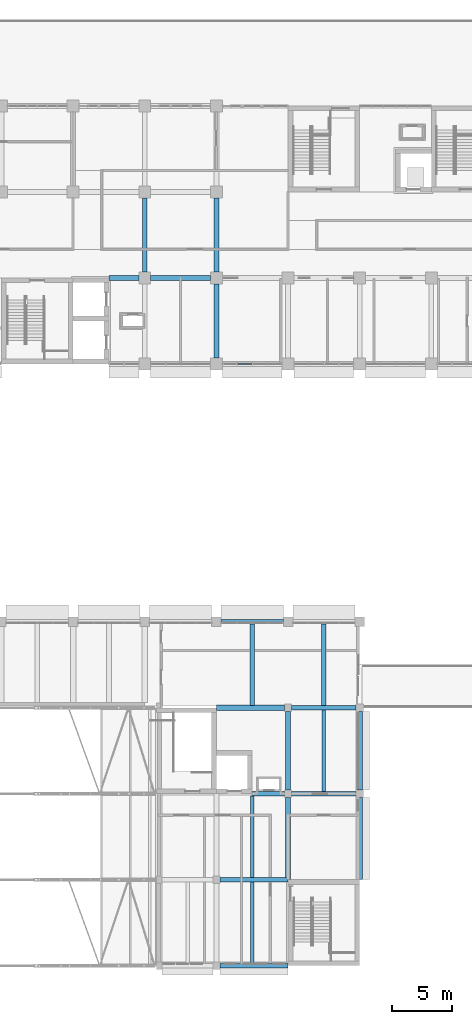
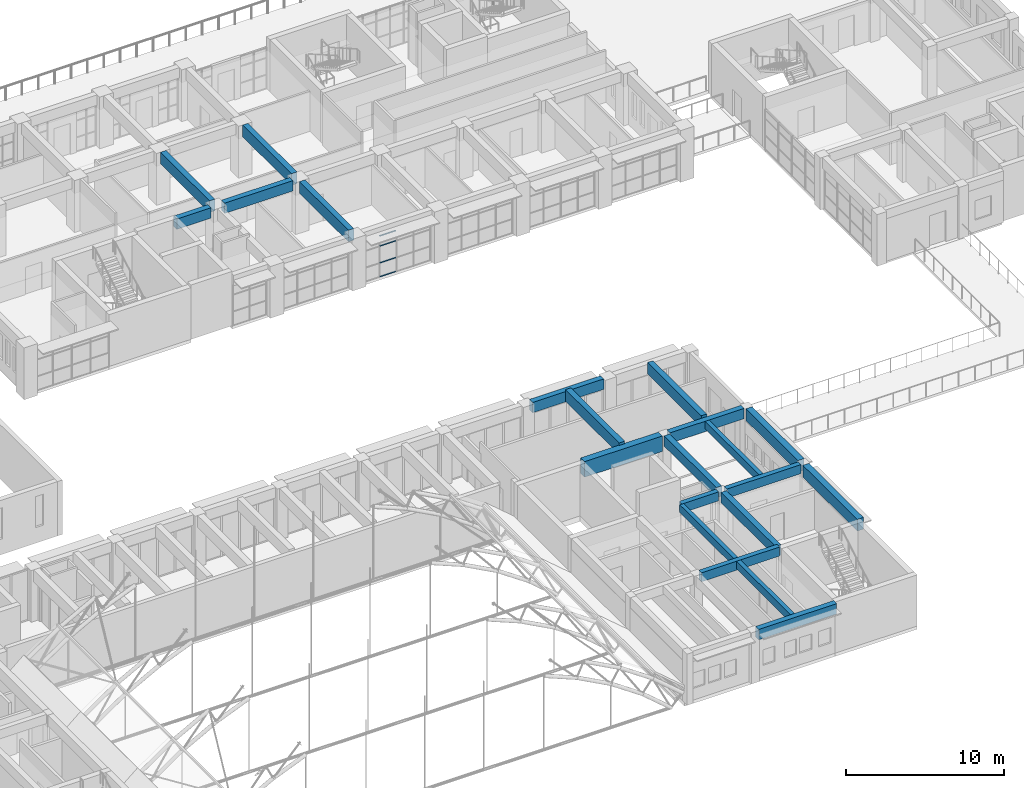
# One storey, part 40 of 101: 21 beams, 4 members, 1 element without a shape of its own.
"""IFC4 building model written with IfcOpenShell, lengths in metres."""

from ifc_helpers import new_model, si_unit, direction, frame, origin, origin_2d, place, context, subcontext, project, spatial, rectangle, hollow_rectangle, extrude, material, material_profile, profile_set, type_object, element, aggregate, save


model = new_model("IFC4")

# Units and contexts
model_context = context("Model", 3, precision=1e-05, world=origin(), true_north=direction((0.0, 1.0)))
body_context = subcontext(model_context, "Body", "Model", "MODEL_VIEW")
ifc_project = project(units=[si_unit("LENGTHUNIT", "METRE"), si_unit("AREAUNIT", "SQUARE_METRE"), si_unit("VOLUMEUNIT", "CUBIC_METRE"), si_unit("PLANEANGLEUNIT", "RADIAN"), si_unit("MASSUNIT", "GRAM", prefix="KILO")], contexts=[model_context])

# Site, building, storey
site_placement = place(None, origin())
site = spatial("IfcSite", under=ifc_project, at=site_placement, CompositionType="ELEMENT")
building_placement = place(site_placement, origin())
building = spatial("IfcBuilding", under=site, at=building_placement, Name="Laocheng Heights Fire and Rescue Headquarters", CompositionType="ELEMENT")
storey_placement = place(building_placement, frame((0.0, 0.0, 8.39990234375)))
storey = spatial("IfcBuildingStorey", under=building, at=storey_placement, Name="L02", CompositionType="ELEMENT", Elevation=8.39990234375)

# Curtain wall, members
ifc_material_1 = material(Name="Dark anodised aluminium unitised curtain wall, low-e double glazing", Category="aluminium")
curtain_wall_type = type_object("IfcCurtainWallType", Name="CW 5000 x 3200 HQ SOUTH RIBBON", PredefinedType="NOTDEFINED", material=ifc_material_1)
curtain_wall_placement = place(storey_placement, origin())
curtain_wall = element("IfcCurtainWall", 1, at=curtain_wall_placement, inside=storey, type_object=curtain_wall_type, Name="X10-X HQ SOUTH L02", PredefinedType="NOTDEFINED")
ifc_material_2 = material(Name="Dark anodised aluminium 6063-T5 extrusion", Category="aluminium")
ifc_material_profile_1 = material_profile(ifc_material_2, hollow_rectangle(XDim=0.10009765625, YDim=0.050048828125, WallThickness=0.0029296875, at=origin_2d()), Name="AL TRANSOM 100x50x3 HQ SOUTH RIBBON")
ifc_profile_set_1 = profile_set([ifc_material_profile_1], Name="Dark anodised aluminium 6063-T5 extrusion")
member_type = type_object("IfcMemberType", Name="AL TRANSOM 100x50x3 HQ SOUTH RIBBON", PredefinedType="USERDEFINED", material=ifc_profile_set_1)
member_1_placement = place(storey_placement, frame((61.780029296875, 50.39990234375, 0.025146484375), z_axis=(1.0, 0.0, 0.0), x_axis=(0.0, 1.0, 0.0)))
member_1 = element("IfcMember", 2, at=member_1_placement, type_object=member_type, Name="X10-X transom 2.1", ObjectType="TRANSOM", PredefinedType="USERDEFINED", context=body_context, shape_type="SweptSolid", body=[
    extrude(hollow_rectangle(XDim=0.10009765625, YDim=0.050048828125, WallThickness=0.0029296875, at=origin_2d()), origin(), (0.0, 0.0, 1.0), 1.18994140625),
])
member_2_placement = place(storey_placement, frame((61.780029296875, 50.39990234375, 1.10009765625), z_axis=(1.0, 0.0, 0.0), x_axis=(0.0, 1.0, 0.0)))
member_2 = element("IfcMember", 3, at=member_2_placement, type_object=member_type, Name="X10-X transom 2.2", ObjectType="TRANSOM", PredefinedType="USERDEFINED", context=body_context, shape_type="SweptSolid", body=[
    extrude(hollow_rectangle(XDim=0.10009765625, YDim=0.050048828125, WallThickness=0.0029296875, at=origin_2d()), origin(), (0.0, 0.0, 1.0), 1.18994140625),
])
member_3_placement = place(storey_placement, frame((61.780029296875, 50.39990234375, 2.400146484375), z_axis=(1.0, 0.0, 0.0), x_axis=(0.0, 1.0, 0.0)))
member_3 = element("IfcMember", 4, at=member_3_placement, type_object=member_type, Name="X10-X transom 2.3", ObjectType="TRANSOM", PredefinedType="USERDEFINED", context=body_context, shape_type="SweptSolid", body=[
    extrude(hollow_rectangle(XDim=0.10009765625, YDim=0.050048828125, WallThickness=0.0029296875, at=origin_2d()), origin(), (0.0, 0.0, 1.0), 1.18994140625),
])
member_4_placement = place(storey_placement, frame((61.780029296875, 50.39990234375, 3.175048828125), z_axis=(1.0, 0.0, 0.0), x_axis=(0.0, 1.0, 0.0)))
member_4 = element("IfcMember", 5, at=member_4_placement, type_object=member_type, Name="X10-X transom 2.4", ObjectType="TRANSOM", PredefinedType="USERDEFINED", context=body_context, shape_type="SweptSolid", body=[
    extrude(hollow_rectangle(XDim=0.10009765625, YDim=0.050048828125, WallThickness=0.0029296875, at=origin_2d()), origin(), (0.0, 0.0, 1.0), 1.18994140625),
])
aggregate(curtain_wall, [member_1, member_2, member_3, member_4])

# Beams
ifc_material_3 = material(Name="Concrete C40", Category="concrete")
ifc_material_profile_2 = material_profile(ifc_material_3, rectangle(XDim=0.300048828125, YDim=0.60009765625, at=origin_2d()), Name="RC BEAM 300x600 PAVILION SECONDARY")
ifc_profile_set_2 = profile_set([ifc_material_profile_2], Name="Concrete C40")
beam_type_1 = type_object("IfcBeamType", Name="RC BEAM 300x600 PAVILION SECONDARY", PredefinedType="BEAM", material=ifc_profile_set_2)
beam_1_placement = place(storey_placement, frame((63.0, 0.199951171875, 3.650146484375), z_axis=(0.0, 1.0, 0.0), x_axis=(-1.0, 0.0, 0.0)))
element("IfcBeam", 6, at=beam_1_placement, inside=storey, type_object=beam_type_1, Name="Pavilion secondary beam", PredefinedType="BEAM", context=body_context, shape_type="SweptSolid", body=[
    extrude(rectangle(XDim=0.300048828125, YDim=0.60009765625, at=origin_2d()), origin(), (0.0, 0.0, 1.0), 6.824951171875),
])
beam_2_placement = place(storey_placement, frame((63.0, 7.375, 3.650146484375), z_axis=(0.0, 1.0, 0.0), x_axis=(-1.0, 0.0, 0.0)))
element("IfcBeam", 7, at=beam_2_placement, inside=storey, type_object=beam_type_1, Name="Pavilion secondary beam", PredefinedType="BEAM", context=body_context, shape_type="SweptSolid", body=[
    extrude(rectangle(XDim=0.300048828125, YDim=0.60009765625, at=origin_2d()), origin(), (0.0, 0.0, 1.0), 6.85009765625),
])
beam_3_placement = place(storey_placement, frame((69.0, 14.574951171875, 3.650146484375), z_axis=(0.0, 1.0, 0.0), x_axis=(-1.0, 0.0, 0.0)))
element("IfcBeam", 8, at=beam_3_placement, inside=storey, type_object=beam_type_1, Name="Pavilion secondary beam", PredefinedType="BEAM", context=body_context, shape_type="SweptSolid", body=[
    extrude(rectangle(XDim=0.300048828125, YDim=0.60009765625, at=origin_2d()), origin(), (0.0, 0.0, 1.0), 6.824951171875),
])
ifc_material_4 = material(Name="Concrete C40", Category="concrete")
ifc_material_profile_3 = material_profile(ifc_material_4, rectangle(XDim=0.35009765625, YDim=0.699951171875, at=origin_2d()), Name="RC BEAM 350x700 PAVILION ROOF")
ifc_profile_set_3 = profile_set([ifc_material_profile_3], Name="Concrete C40")
beam_type_2 = type_object("IfcBeamType", Name="RC BEAM 350x700 PAVILION ROOF", PredefinedType="BEAM", material=ifc_profile_set_3)
beam_4_placement = place(storey_placement, frame((60.300048828125, 7.199951171875, 3.60009765625), z_axis=(1.0, 0.0, 0.0), x_axis=(0.0, 1.0, 0.0)))
element("IfcBeam", 9, at=beam_4_placement, inside=storey, type_object=beam_type_2, Name="Pavilion beam", PredefinedType="BEAM", context=body_context, shape_type="SweptSolid", body=[
    extrude(rectangle(XDim=0.35009765625, YDim=0.699951171875, at=origin_2d()), origin(), (0.0, 0.0, 1.0), 5.699951171875),
])
beam_5_placement = place(storey_placement, frame((63.0, 14.39990234375, 3.60009765625), z_axis=(1.0, 0.0, 0.0), x_axis=(0.0, 1.0, 0.0)))
element("IfcBeam", 10, at=beam_5_placement, inside=storey, type_object=beam_type_2, Name="Pavilion beam", PredefinedType="BEAM", context=body_context, shape_type="SweptSolid", body=[
    extrude(rectangle(XDim=0.35009765625, YDim=0.699951171875, at=origin_2d()), origin(), (0.0, 0.0, 1.0), 2.699951171875),
])
beam_6_placement = place(storey_placement, frame((66.300048828125, 14.39990234375, 3.60009765625), z_axis=(1.0, 0.0, 0.0), x_axis=(0.0, 1.0, 0.0)))
element("IfcBeam", 11, at=beam_6_placement, inside=storey, type_object=beam_type_2, Name="Pavilion beam", PredefinedType="BEAM", context=body_context, shape_type="SweptSolid", body=[
    extrude(rectangle(XDim=0.35009765625, YDim=0.699951171875, at=origin_2d()), origin(), (0.0, 0.0, 1.0), 5.39990234375),
])
ifc_material_5 = material(Name="Concrete C40", Category="concrete")
ifc_material_profile_4 = material_profile(ifc_material_5, rectangle(XDim=0.39990234375, YDim=0.800048828125, at=origin_2d()), Name="RC BEAM 400x800 GALLERY FLOOR")
ifc_profile_set_4 = profile_set([ifc_material_profile_4], Name="Concrete C40")
beam_type_3 = type_object("IfcBeamType", Name="RC BEAM 400x800 GALLERY FLOOR", PredefinedType="BEAM", material=ifc_profile_set_4)
beam_7_placement = place(storey_placement, frame((60.39990234375, 28.800048828125, 3.60009765625), z_axis=(1.0, 0.0, 0.0), x_axis=(0.0, 1.0, 0.0)))
element("IfcBeam", 12, at=beam_7_placement, inside=storey, type_object=beam_type_3, Name="Gallery floor beam", PredefinedType="BEAM", context=body_context, shape_type="SweptSolid", body=[
    extrude(rectangle(XDim=0.39990234375, YDim=0.800048828125, at=origin_2d()), origin(), (0.0, 0.0, 1.0), 5.2001953125),
])
ifc_material_6 = material(Name="Concrete C40", Category="concrete")
ifc_material_profile_5 = material_profile(ifc_material_6, rectangle(XDim=0.39990234375, YDim=0.800048828125, at=origin_2d()), Name="RC BEAM 400x800 HQ")
ifc_profile_set_5 = profile_set([ifc_material_profile_5], Name="Concrete C40")
beam_type_4 = type_object("IfcBeamType", Name="RC BEAM 400x800 HQ", PredefinedType="BEAM", material=ifc_profile_set_5)
beam_8_placement = place(storey_placement, frame((51.0, 57.60009765625, 3.60009765625), z_axis=(1.0, 0.0, 0.0), x_axis=(0.0, 1.0, 0.0)))
element("IfcBeam", 13, at=beam_8_placement, inside=storey, type_object=beam_type_4, Name="HQ beam L02", PredefinedType="BEAM", context=body_context, shape_type="SweptSolid", body=[
    extrude(rectangle(XDim=0.39990234375, YDim=0.800048828125, at=origin_2d()), origin(), (0.0, 0.0, 1.0), 2.5),
])
beam_9_placement = place(storey_placement, frame((54.5, 57.60009765625, 3.60009765625), z_axis=(1.0, 0.0, 0.0), x_axis=(0.0, 1.0, 0.0)))
element("IfcBeam", 14, at=beam_9_placement, inside=storey, type_object=beam_type_4, Name="HQ beam L02", PredefinedType="BEAM", context=body_context, shape_type="SweptSolid", body=[
    extrude(rectangle(XDim=0.39990234375, YDim=0.800048828125, at=origin_2d()), origin(), (0.0, 0.0, 1.0), 5.0),
])
ifc_material_7 = material(Name="Concrete C40", Category="concrete")
ifc_material_profile_6 = material_profile(ifc_material_7, rectangle(XDim=0.39990234375, YDim=0.800048828125, at=origin_2d()), Name="RC BEAM 400x800 PAVILION FLOOR")
ifc_profile_set_6 = profile_set([ifc_material_profile_6], Name="Concrete C40")
beam_type_5 = type_object("IfcBeamType", Name="RC BEAM 400x800 PAVILION FLOOR", PredefinedType="BEAM", material=ifc_profile_set_6)
beam_10_placement = place(storey_placement, frame((60.300048828125, 0.0, 3.550048828125), z_axis=(1.0, 0.0, 0.0), x_axis=(0.0, 1.0, 0.0)))
element("IfcBeam", 15, at=beam_10_placement, inside=storey, type_object=beam_type_5, Name="Pavilion beam", PredefinedType="BEAM", context=body_context, shape_type="SweptSolid", body=[
    extrude(rectangle(XDim=0.39990234375, YDim=0.800048828125, at=origin_2d()), origin(), (0.0, 0.0, 1.0), 5.699951171875),
])
beam_11_placement = place(storey_placement, frame((66.300048828125, 21.60009765625, 3.550048828125), z_axis=(1.0, 0.0, 0.0), x_axis=(0.0, 1.0, 0.0)))
element("IfcBeam", 16, at=beam_11_placement, inside=storey, type_object=beam_type_5, Name="Pavilion beam", PredefinedType="BEAM", context=body_context, shape_type="SweptSolid", body=[
    extrude(rectangle(XDim=0.39990234375, YDim=0.800048828125, at=origin_2d()), origin(), (0.0, 0.0, 1.0), 5.39990234375),
])
ifc_material_8 = material(Name="Concrete C40", Category="concrete")
ifc_material_profile_7 = material_profile(ifc_material_8, rectangle(XDim=0.39990234375, YDim=0.800048828125, at=origin_2d()), Name="RC BEAM 400x800 PAVILION ROOF")
ifc_profile_set_7 = profile_set([ifc_material_profile_7], Name="Concrete C40")
beam_type_6 = type_object("IfcBeamType", Name="RC BEAM 400x800 PAVILION ROOF", PredefinedType="BEAM", material=ifc_profile_set_7)
beam_12_placement = place(storey_placement, frame((66.0, 7.199951171875, 3.550048828125), z_axis=(0.0, 1.0, 0.0), x_axis=(-1.0, 0.0, 0.0)))
element("IfcBeam", 17, at=beam_12_placement, inside=storey, type_object=beam_type_6, Name="Pavilion beam", PredefinedType="BEAM", context=body_context, shape_type="SweptSolid", body=[
    extrude(rectangle(XDim=0.39990234375, YDim=0.800048828125, at=origin_2d()), origin(), (0.0, 0.0, 1.0), 6.900146484375),
])
beam_13_placement = place(storey_placement, frame((66.0, 14.699951171875, 3.550048828125), z_axis=(0.0, 1.0, 0.0), x_axis=(-1.0, 0.0, 0.0)))
element("IfcBeam", 18, at=beam_13_placement, inside=storey, type_object=beam_type_6, Name="Pavilion beam", PredefinedType="BEAM", context=body_context, shape_type="SweptSolid", body=[
    extrude(rectangle(XDim=0.39990234375, YDim=0.800048828125, at=origin_2d()), origin(), (0.0, 0.0, 1.0), 6.60009765625),
])
ifc_material_9 = material(Name="Concrete C40", Category="concrete")
ifc_material_profile_8 = material_profile(ifc_material_9, rectangle(XDim=0.39990234375, YDim=0.89990234375, at=origin_2d()), Name="RC BEAM 400x900 HQ")
ifc_profile_set_8 = profile_set([ifc_material_profile_8], Name="Concrete C40")
beam_type_7 = type_object("IfcBeamType", Name="RC BEAM 400x900 HQ", PredefinedType="BEAM", material=ifc_profile_set_8)
beam_14_placement = place(storey_placement, frame((54.0, 58.10009765625, 3.550048828125), z_axis=(0.0, 1.0, 0.0), x_axis=(-1.0, 0.0, 0.0)))
element("IfcBeam", 19, at=beam_14_placement, inside=storey, type_object=beam_type_7, Name="HQ beam L02", PredefinedType="BEAM", context=body_context, shape_type="SweptSolid", body=[
    extrude(rectangle(XDim=0.39990234375, YDim=0.89990234375, at=origin_2d()), origin(), (0.0, 0.0, 1.0), 6.199951171875),
])
beam_15_placement = place(storey_placement, frame((60.0, 50.89990234375, 3.550048828125), z_axis=(0.0, 1.0, 0.0), x_axis=(-1.0, 0.0, 0.0)))
element("IfcBeam", 20, at=beam_15_placement, inside=storey, type_object=beam_type_7, Name="HQ beam L02", PredefinedType="BEAM", context=body_context, shape_type="SweptSolid", body=[
    extrude(rectangle(XDim=0.39990234375, YDim=0.89990234375, at=origin_2d()), origin(), (0.0, 0.0, 1.0), 6.2001953125),
])
beam_16_placement = place(storey_placement, frame((60.0, 58.10009765625, 3.550048828125), z_axis=(0.0, 1.0, 0.0), x_axis=(-1.0, 0.0, 0.0)))
element("IfcBeam", 21, at=beam_16_placement, inside=storey, type_object=beam_type_7, Name="HQ beam L02", PredefinedType="BEAM", context=body_context, shape_type="SweptSolid", body=[
    extrude(rectangle(XDim=0.39990234375, YDim=0.89990234375, at=origin_2d()), origin(), (0.0, 0.0, 1.0), 6.199951171875),
])
ifc_material_10 = material(Name="Concrete C50", Category="concrete")
ifc_material_profile_9 = material_profile(ifc_material_10, rectangle(XDim=0.39990234375, YDim=0.89990234375, at=origin_2d()), Name="RC BEAM 400x900 TRANSFER SECONDARY")
ifc_profile_set_9 = profile_set([ifc_material_profile_9], Name="Concrete C50")
beam_type_8 = type_object("IfcBeamType", Name="RC BEAM 400x900 TRANSFER SECONDARY", PredefinedType="BEAM", material=ifc_profile_set_9)
for number, where, z_axis, x_axis, name in (
    (22, (63.0, 21.800048828125, 3.7001953125), (0.0, 1.0, 0.0), (-1.0, 0.0, 0.0), "Gallery secondary beam"),
    (23, (69.0, 21.800048828125, 3.7001953125), (0.0, 1.0, 0.0), (-1.0, 0.0, 0.0), "Gallery secondary beam"),
):
    element("IfcBeam", number, at=place(storey_placement, frame(where, z_axis=z_axis, x_axis=x_axis)), inside=storey, type_object=beam_type_8, Name=name, PredefinedType="BEAM", context=body_context, shape_type="SweptSolid", body=[
        extrude(rectangle(XDim=0.39990234375, YDim=0.89990234375, at=origin_2d()), origin(), (0.0, 0.0, 1.0), 6.800048828125),
    ])
ifc_material_11 = material(Name="Concrete C40", Category="concrete")
ifc_material_profile_10 = material_profile(ifc_material_11, rectangle(XDim=0.449951171875, YDim=0.89990234375, at=origin_2d()), Name="RC BEAM 450x900 PAVILION FLOOR")
ifc_profile_set_10 = profile_set([ifc_material_profile_10], Name="Concrete C40")
beam_type_9 = type_object("IfcBeamType", Name="RC BEAM 450x900 PAVILION FLOOR", PredefinedType="BEAM", material=ifc_profile_set_10)
beam_17_placement = place(storey_placement, frame((72.0, 7.199951171875, 3.5), z_axis=(0.0, 1.0, 0.0), x_axis=(-1.0, 0.0, 0.0)))
element("IfcBeam", 24, at=beam_17_placement, inside=storey, type_object=beam_type_9, Name="Pavilion beam", PredefinedType="BEAM", context=body_context, shape_type="SweptSolid", body=[
    extrude(rectangle(XDim=0.449951171875, YDim=0.89990234375, at=origin_2d()), origin(), (0.0, 0.0, 1.0), 6.900146484375),
])
beam_18_placement = place(storey_placement, frame((72.0, 14.699951171875, 3.5), z_axis=(0.0, 1.0, 0.0), x_axis=(-1.0, 0.0, 0.0)))
element("IfcBeam", 25, at=beam_18_placement, inside=storey, type_object=beam_type_9, Name="Pavilion beam", PredefinedType="BEAM", context=body_context, shape_type="SweptSolid", body=[
    extrude(rectangle(XDim=0.449951171875, YDim=0.89990234375, at=origin_2d()), origin(), (0.0, 0.0, 1.0), 6.60009765625),
])
ifc_material_12 = material(Name="Concrete C50", Category="concrete")
ifc_material_profile_11 = material_profile(ifc_material_12, rectangle(XDim=0.5, YDim=1.199951171875, at=origin_2d()), Name="RC BEAM 500x1200 PAVILION TRANSFER")
ifc_profile_set_11 = profile_set([ifc_material_profile_11], Name="Concrete C50")
beam_type_10 = type_object("IfcBeamType", Name="RC BEAM 500x1200 PAVILION TRANSFER", PredefinedType="BEAM", material=ifc_profile_set_11)
beam_19_placement = place(storey_placement, frame((60.0, 21.60009765625, 3.35009765625), z_axis=(1.0, 0.0, 0.0), x_axis=(0.0, 1.0, 0.0)))
element("IfcBeam", 26, at=beam_19_placement, inside=storey, type_object=beam_type_10, Name="Pavilion beam", PredefinedType="BEAM", context=body_context, shape_type="SweptSolid", body=[
    extrude(rectangle(XDim=0.5, YDim=1.199951171875, at=origin_2d()), origin(), (0.0, 0.0, 1.0), 5.699951171875),
])

save(model, "model.ifc")
